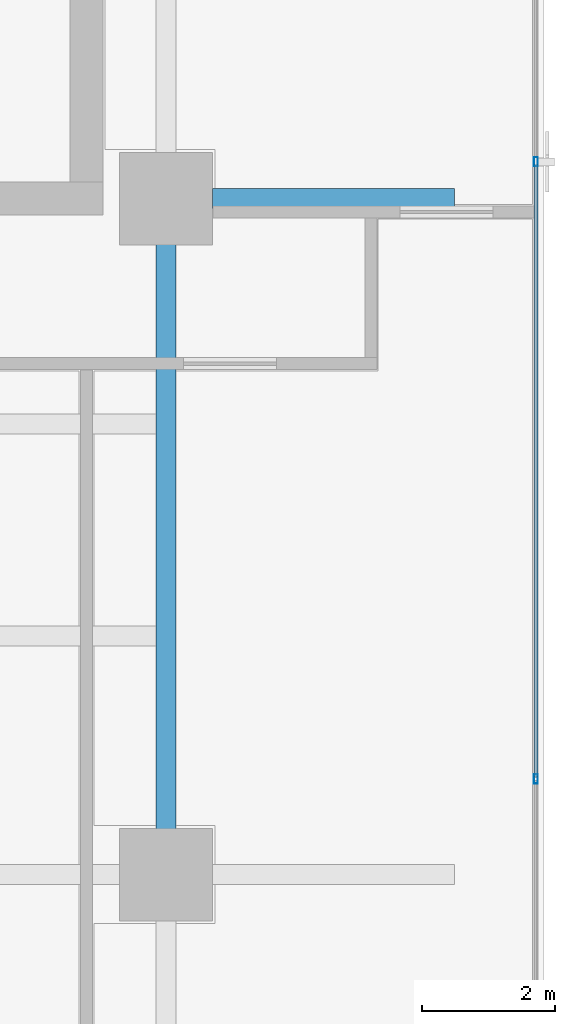
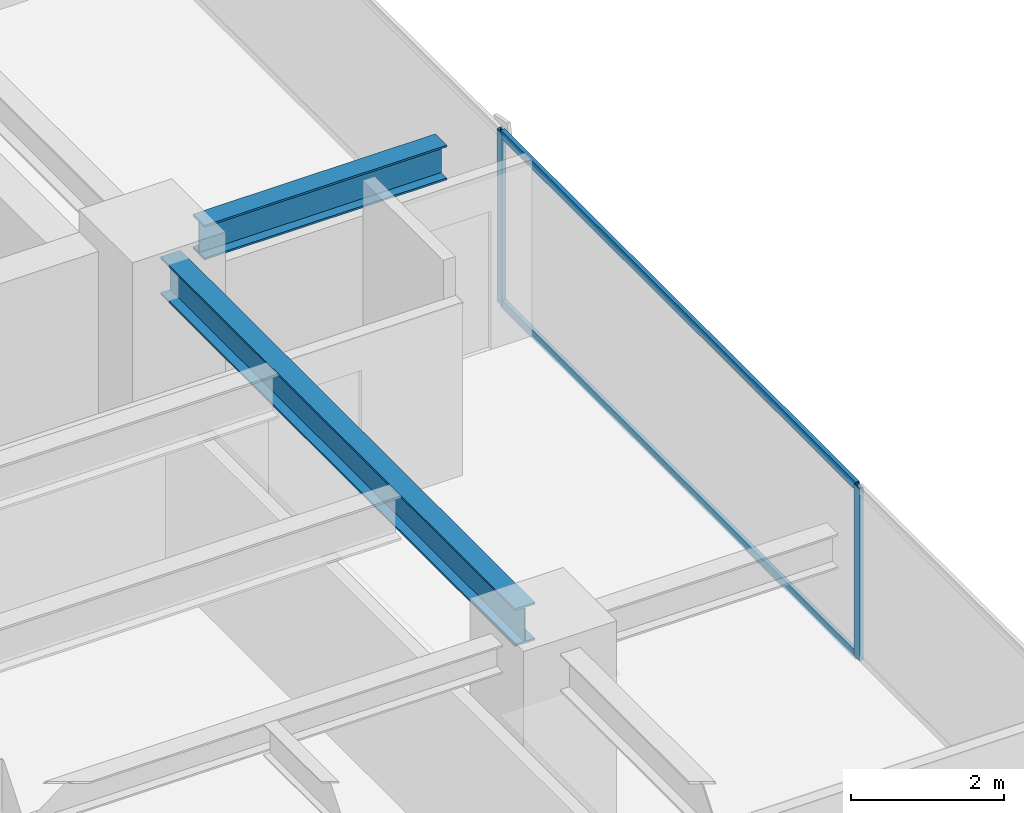
# One storey, part 13 of 25: 4 members, 2 beams, 1 element without a shape of its own.
"""IFC4 building model written with IfcOpenShell, lengths in metres."""

from ifc_helpers import new_model, si_unit, direction, frame, origin, origin_2d, place, context, subcontext, project, spatial, hollow_rectangle, i_section, extrude, source, transform, mapped, material, layer, layer_set, material_profile, profile_set, type_object, element, aggregate, save


model = new_model("IFC4")

# Units and contexts
model_context = context("Model", 3, precision=1e-05, world=origin(), true_north=direction((0.0, 1.0)))
body_context = subcontext(model_context, "Body", "Model", "MODEL_VIEW")
ifc_project = project(units=[si_unit("LENGTHUNIT", "METRE"), si_unit("AREAUNIT", "SQUARE_METRE"), si_unit("VOLUMEUNIT", "CUBIC_METRE"), si_unit("PLANEANGLEUNIT", "RADIAN"), si_unit("MASSUNIT", "GRAM", prefix="KILO")], contexts=[model_context])

# Site, building, storey
site_placement = place(None, origin())
site = spatial("IfcSite", under=ifc_project, at=site_placement, CompositionType="ELEMENT")
building_placement = place(site_placement, origin())
building = spatial("IfcBuilding", under=site, at=building_placement, Name="Sumidabori Civic Tower", CompositionType="ELEMENT")
storey_placement = place(building_placement, frame((0.0, 0.0, 268.39990234375)))
storey = spatial("IfcBuildingStorey", under=building, at=storey_placement, Name="L70", CompositionType="ELEMENT", Elevation=268.39990234375)

# Beams
ifc_material_1 = material(Name="Steel SN490", Category="steel")
ifc_material_profile_1 = material_profile(ifc_material_1, i_section(OverallWidth=0.300048828125, OverallDepth=0.60009765625, WebThickness=0.015380859375, FlangeThickness=0.030029296875, at=origin_2d()), Name="HE 600 B")
ifc_profile_set_1 = profile_set([ifc_material_profile_1], Name="Steel SN490")
beam_type_1 = type_object("IfcBeamType", Name="BM-GIRD-600", PredefinedType="BEAM", material=ifc_profile_set_1)
shared_shape_1 = source(origin(), body_context, "Body", "SweptSolid", [
    extrude(i_section(OverallWidth=0.300048828125, OverallDepth=0.60009765625, WebThickness=0.015380859375, FlangeThickness=0.030029296875, at=origin_2d()), origin(), (0.0, 0.0, 1.0), 9.239990234375),
])
beam_1_placement = place(storey_placement, frame((16.800048828125, 0.47998046875, 3.070068359375), z_axis=(0.0, 1.0, 0.0), x_axis=(-1.0, 0.0, 0.0)))
element("IfcBeam", 1, at=beam_1_placement, inside=storey, type_object=beam_type_1, Name="Primary Girder L70 GY-16", PredefinedType="BEAM", context=body_context, shape_type="MappedRepresentation", body=[
    mapped(shared_shape_1, transform((0.0, 0.0, 0.0), x_axis=(1.0, 0.0, 0.0), y_axis=(0.0, 1.0, 0.0), z_axis=(0.0, 0.0, 1.0), scale=1.0)),
])
ifc_material_profile_2 = material_profile(ifc_material_1, i_section(OverallWidth=0.300048828125, OverallDepth=0.550048828125, WebThickness=0.014892578125, FlangeThickness=0.029052734375, at=origin_2d()), Name="HE 550 B")
ifc_profile_set_2 = profile_set([ifc_material_profile_2], Name="Steel SN490")
beam_type_2 = type_object("IfcBeamType", Name="BM-Z4-EDGE", PredefinedType="SPANDREL", material=ifc_profile_set_2)
shared_shape_2 = source(origin(), body_context, "Body", "SweptSolid", [
    extrude(i_section(OverallWidth=0.300048828125, OverallDepth=0.550048828125, WebThickness=0.014892578125, FlangeThickness=0.029052734375, at=origin_2d()), origin(), (0.0, 0.0, 1.0), 3.64990234375),
])
beam_2_placement = place(storey_placement, frame((17.5, 10.199951171875, 3.09521484375), z_axis=(1.0, 0.0, 0.0), x_axis=(0.0, 1.0, 0.0)))
element("IfcBeam", 2, at=beam_2_placement, inside=storey, type_object=beam_type_2, Name="Perimeter Overhang Beam L70 E-20", PredefinedType="SPANDREL", context=body_context, shape_type="MappedRepresentation", body=[
    mapped(shared_shape_2, transform((0.0, 0.0, 0.0), x_axis=(1.0, 0.0, 0.0), y_axis=(0.0, 1.0, 0.0), z_axis=(0.0, 0.0, 1.0), scale=1.0)),
])

# Curtain wall, members
ifc_material_2 = material(Name="Anodised Bronze Aluminium AW-6063-T6", Category="aluminium")
ifc_layer = layer(ifc_material_2, 0.179931640625, Name="Anodised Bronze Aluminium AW-6063-T6")
ifc_layer_set = layer_set([ifc_layer], Name="Anodised Bronze Aluminium AW-6063-T6")
curtain_wall_type = type_object("IfcCurtainWallType", Name="CW-SYS-5", PredefinedType="NOTDEFINED", material=ifc_layer_set)
curtain_wall_placement = place(storey_placement, origin())
curtain_wall = element("IfcCurtainWall", 3, at=curtain_wall_placement, inside=storey, type_object=curtain_wall_type, Name="Curtain Wall CW:L70:R04", PredefinedType="NOTDEFINED")
ifc_material_profile_3 = material_profile(ifc_material_2, hollow_rectangle(XDim=0.06005859375, YDim=0.139892578125, WallThickness=0.0048828125, at=origin_2d()), Name="ALU MULLION 140x60")
ifc_profile_set_3 = profile_set([ifc_material_profile_3], Name="Anodised Bronze Aluminium AW-6063-T6")
member_type_1 = type_object("IfcMemberType", Name="CW-MUL-140", PredefinedType="MULLION", material=ifc_profile_set_3)
shared_shape_3 = source(origin(), body_context, "Body", "SweptSolid", [
    extrude(hollow_rectangle(XDim=0.06005859375, YDim=0.139892578125, WallThickness=0.0048828125, at=origin_2d()), origin(), (0.0, 0.0, 1.0), 2.75),
])
member_1_placement = place(storey_placement, frame((22.3798828125, 1.443359375, 0.0), z_axis=(0.0, 0.0, 1.0), x_axis=(-1.0, 0.0, 0.0)))
member_1 = element("IfcMember", 4, at=member_1_placement, type_object=member_type_1, Name="CW-5 mullion 2", PredefinedType="MULLION", context=body_context, shape_type="MappedRepresentation", body=[
    mapped(shared_shape_3, transform((0.0, 0.0, 0.0), x_axis=(1.0, 0.0, 0.0), y_axis=(0.0, 1.0, 0.0), z_axis=(0.0, 0.0, 1.0), scale=1.0)),
])
member_2_placement = place(storey_placement, frame((22.3798828125, 10.756591796875, 0.0), z_axis=(0.0, 0.0, 1.0), x_axis=(-1.0, 0.0, 0.0)))
member_2 = element("IfcMember", 5, at=member_2_placement, type_object=member_type_1, Name="CW-5 mullion 3", PredefinedType="MULLION", context=body_context, shape_type="MappedRepresentation", body=[
    mapped(shared_shape_3, transform((0.0, 0.0, 0.0), x_axis=(1.0, 0.0, 0.0), y_axis=(0.0, 1.0, 0.0), z_axis=(0.0, 0.0, 1.0), scale=1.0)),
])
ifc_material_profile_4 = material_profile(ifc_material_2, hollow_rectangle(XDim=0.06005859375, YDim=0.1298828125, WallThickness=0.0048828125, at=origin_2d()), Name="ALU TRANSOM 130x60")
ifc_profile_set_4 = profile_set([ifc_material_profile_4], Name="Anodised Bronze Aluminium AW-6063-T6")
member_type_2 = type_object("IfcMemberType", Name="CW-TRN-130", PredefinedType="USERDEFINED", material=ifc_profile_set_4)
shared_shape_4 = source(origin(), body_context, "Body", "SweptSolid", [
    extrude(hollow_rectangle(XDim=0.06005859375, YDim=0.1298828125, WallThickness=0.0048828125, at=origin_2d()), origin(), (0.0, 0.0, 1.0), 9.253173828125),
])
member_3_placement = place(storey_placement, frame((22.3798828125, 1.473388671875, 0.030029296875), z_axis=(0.0, 1.0, 0.0), x_axis=(-1.0, 0.0, 0.0)))
member_3 = element("IfcMember", 6, at=member_3_placement, type_object=member_type_2, Name="CW-5 transom 2.1", ObjectType="TRANSOM", PredefinedType="USERDEFINED", context=body_context, shape_type="MappedRepresentation", body=[
    mapped(shared_shape_4, transform((0.0, 0.0, 0.0), x_axis=(1.0, 0.0, 0.0), y_axis=(0.0, 1.0, 0.0), z_axis=(0.0, 0.0, 1.0), scale=1.0)),
])
member_4_placement = place(storey_placement, frame((22.3798828125, 1.473388671875, 2.72021484375), z_axis=(0.0, 1.0, 0.0), x_axis=(-1.0, 0.0, 0.0)))
member_4 = element("IfcMember", 7, at=member_4_placement, type_object=member_type_2, Name="CW-5 transom 2.2", ObjectType="TRANSOM", PredefinedType="USERDEFINED", context=body_context, shape_type="MappedRepresentation", body=[
    mapped(shared_shape_4, transform((0.0, 0.0, 0.0), x_axis=(1.0, 0.0, 0.0), y_axis=(0.0, 1.0, 0.0), z_axis=(0.0, 0.0, 1.0), scale=1.0)),
])
aggregate(curtain_wall, [member_1, member_2, member_3, member_4])

save(model, "model.ifc")
